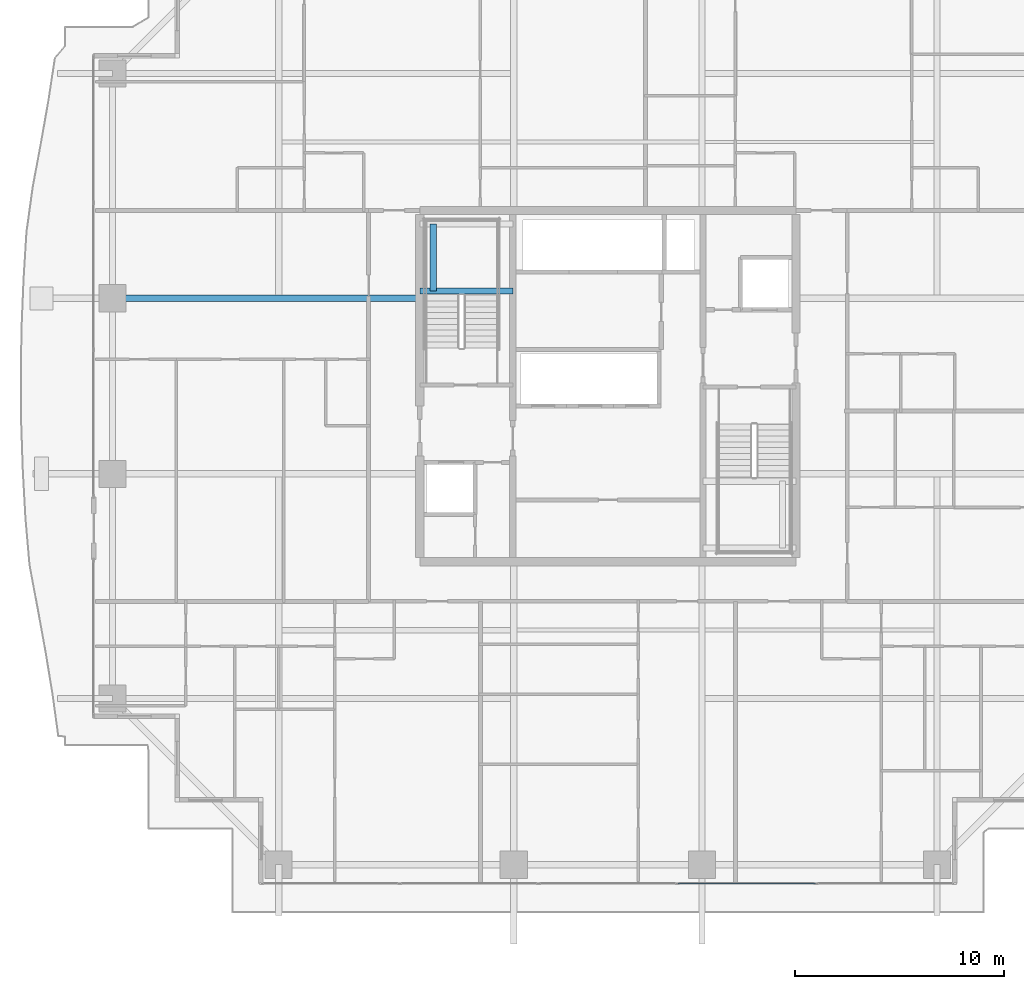
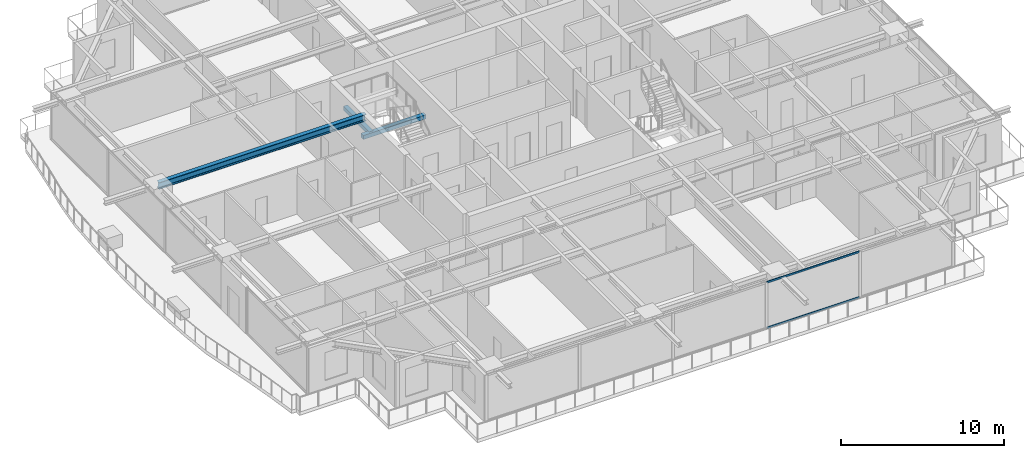
# One storey, part 11 of 38: 3 beams, 2 members, 1 element without a shape of its own.
"""IFC4 building model written with IfcOpenShell, lengths in metres."""

from ifc_helpers import new_model, si_unit, direction, frame, origin, origin_2d, place, context, subcontext, project, spatial, rectangle, hollow_rectangle, i_section, extrude, source, transform, mapped, material, layer, layer_set, material_profile, profile_set, type_object, element, aggregate, save


model = new_model("IFC4")

# Units and contexts
model_context = context("Model", 3, precision=1e-05, world=origin(), true_north=direction((0.0, 1.0)))
body_context = subcontext(model_context, "Body", "Model", "MODEL_VIEW")
ifc_project = project(units=[si_unit("LENGTHUNIT", "METRE"), si_unit("AREAUNIT", "SQUARE_METRE"), si_unit("VOLUMEUNIT", "CUBIC_METRE"), si_unit("PLANEANGLEUNIT", "RADIAN"), si_unit("MASSUNIT", "GRAM", prefix="KILO")], contexts=[model_context])

# Site, building, storey
site_placement = place(None, origin())
site = spatial("IfcSite", under=ifc_project, at=site_placement, CompositionType="ELEMENT")
building_placement = place(site_placement, origin())
building = spatial("IfcBuilding", under=site, at=building_placement, Name="Serunith Strait Residences", CompositionType="ELEMENT")
storey_placement = place(building_placement, frame((0.0, 0.0, 183.89990234375)))
storey = spatial("IfcBuildingStorey", under=building, at=storey_placement, Name="L46", CompositionType="ELEMENT", Elevation=183.89990234375)

# Beams
ifc_material_1 = material(Name="Steel S355J2", Category="steel")
ifc_material_profile_1 = material_profile(ifc_material_1, i_section(OverallWidth=0.300048828125, OverallDepth=0.5, WebThickness=0.014404296875, FlangeThickness=0.028076171875, FilletRadius=0.027099609375, at=origin_2d()), Name="HEB 500")
ifc_profile_set_1 = profile_set([ifc_material_profile_1], Name="Steel S355J2")
beam_type_1 = type_object("IfcBeamType", Name="BM-HEB500", PredefinedType="BEAM", material=ifc_profile_set_1)
shared_shape_1 = source(origin(), body_context, "Body", "SweptSolid", [
    extrude(i_section(OverallWidth=0.300048828125, OverallDepth=0.5, WebThickness=0.014404296875, FlangeThickness=0.028076171875, FilletRadius=0.027099609375, at=origin_2d()), origin(), (0.0, 0.0, 1.0), 14.699951171875),
])
beam_1_placement = place(storey_placement, frame((23.39990234375, 29.39990234375, 3.237060546875), z_axis=(-1.0, 0.0, 0.0), x_axis=(0.0, -1.0, 0.0)))
element("IfcBeam", 1, at=beam_1_placement, inside=storey, type_object=beam_type_1, Name="L46 Primary Floor Girder TC-W3", PredefinedType="BEAM", context=body_context, shape_type="MappedRepresentation", body=[
    mapped(shared_shape_1, transform((0.0, 0.0, 0.0), scale=1.0)),
])
ifc_material_2 = material(Name="Concrete C60/75", Category="concrete")
ifc_material_profile_2 = material_profile(ifc_material_2, rectangle(XDim=0.300048828125, YDim=0.300048828125, at=origin_2d()), Name="RC 300x300")
ifc_profile_set_2 = profile_set([ifc_material_profile_2], Name="Concrete C60/75")
beam_type_2 = type_object("IfcBeamType", Name="BM-LAND-300x300", PredefinedType="BEAM", material=ifc_profile_set_2)
shared_shape_2 = source(origin(), body_context, "Body", "SweptSolid", [
    extrude(rectangle(XDim=0.300048828125, YDim=0.300048828125, at=origin_2d()), origin(), (0.0, 0.0, 1.0), 4.4501953125),
])
beam_2_placement = place(storey_placement, frame((23.39990234375, 29.75, 1.525146484375), z_axis=(1.0, 0.0, 0.0), x_axis=(0.0, 1.0, 0.0)))
element("IfcBeam", 2, at=beam_2_placement, inside=storey, type_object=beam_type_2, Name="L46 ST-1 Landing Support Beam 1", PredefinedType="BEAM", context=body_context, shape_type="MappedRepresentation", body=[
    mapped(shared_shape_2, transform((0.0, 0.0, 0.0), scale=1.0)),
])
shared_shape_3 = source(origin(), body_context, "Body", "SweptSolid", [
    extrude(rectangle(XDim=0.300048828125, YDim=0.300048828125, at=origin_2d()), origin(), (0.0, 0.0, 1.0), 3.199951171875),
])
beam_3_placement = place(storey_placement, frame((24.050048828125, 29.75, 1.525146484375), z_axis=(0.0, 1.0, 0.0), x_axis=(-1.0, 0.0, 0.0)))
element("IfcBeam", 3, at=beam_3_placement, inside=storey, type_object=beam_type_2, Name="L46 ST-1 Landing Transverse Tie Beam", PredefinedType="BEAM", context=body_context, shape_type="MappedRepresentation", body=[
    mapped(shared_shape_3, transform((0.0, 0.0, 0.0), scale=1.0)),
])

# Curtain wall, members
ifc_material_3 = material(Name="Pale-Champagne Anodised Aluminium", Category="aluminium")
ifc_layer = layer(ifc_material_3, 0.199951171875, Name="Pale-Champagne Anodised Aluminium")
ifc_layer_set = layer_set([ifc_layer], Name="Pale-Champagne Anodised Aluminium")
curtain_wall_type = type_object("IfcCurtainWallType", Name="CW-SYS2", PredefinedType="NOTDEFINED", material=ifc_layer_set)
curtain_wall_placement = place(storey_placement, origin())
curtain_wall = element("IfcCurtainWall", 4, at=curtain_wall_placement, inside=storey, type_object=curtain_wall_type, Name="L46 S Unitised Fritted Curtain Wall", PredefinedType="NOTDEFINED")
ifc_material_profile_3 = material_profile(ifc_material_3, hollow_rectangle(XDim=0.06005859375, YDim=0.139892578125, WallThickness=0.00341796875, InnerFilletRadius=0.00537109375, OuterFilletRadius=0.0087890625, at=origin_2d()), Name="ALU 140x60x3.5")
ifc_profile_set_3 = profile_set([ifc_material_profile_3], Name="Pale-Champagne Anodised Aluminium")
member_type = type_object("IfcMemberType", Name="CW-SYS2-TRAN", PredefinedType="USERDEFINED", material=ifc_profile_set_3)
shared_shape_4 = source(origin(), body_context, "Body", "SweptSolid", [
    extrude(hollow_rectangle(XDim=0.06005859375, YDim=0.139892578125, WallThickness=0.00341796875, InnerFilletRadius=0.00537109375, OuterFilletRadius=0.0087890625, at=origin_2d()), origin(), (0.0, 0.0, 1.0), 6.570068359375),
])
member_1_placement = place(storey_placement, frame((35.7548828125, 1.39990234375, 0.030029296875), z_axis=(1.0, 0.0, 0.0), x_axis=(0.0, 1.0, 0.0)))
member_1 = element("IfcMember", 5, at=member_1_placement, type_object=member_type, Name="CW-2 transom 4.1", ObjectType="TRANSOM", PredefinedType="USERDEFINED", context=body_context, shape_type="MappedRepresentation", body=[
    mapped(shared_shape_4, transform((0.0, 0.0, 0.0), scale=1.0)),
])
member_2_placement = place(storey_placement, frame((35.7548828125, 1.39990234375, 3.445068359375), z_axis=(1.0, 0.0, 0.0), x_axis=(0.0, 1.0, 0.0)))
member_2 = element("IfcMember", 6, at=member_2_placement, type_object=member_type, Name="CW-2 transom 4.2", ObjectType="TRANSOM", PredefinedType="USERDEFINED", context=body_context, shape_type="MappedRepresentation", body=[
    mapped(shared_shape_4, transform((0.0, 0.0, 0.0), scale=1.0)),
])
aggregate(curtain_wall, [member_1, member_2])

save(model, "model.ifc")
